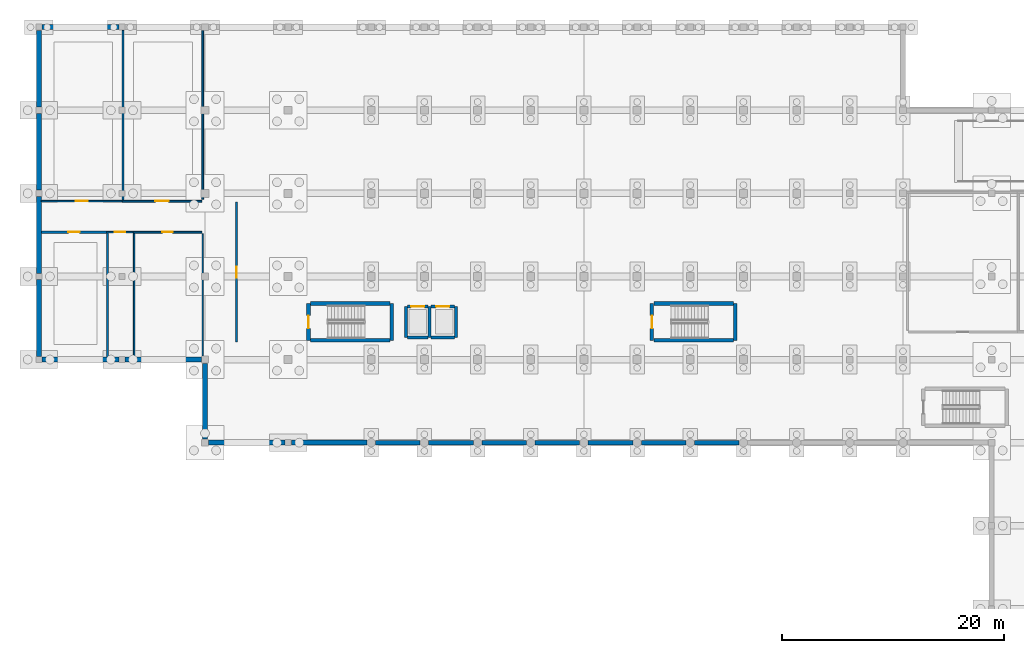
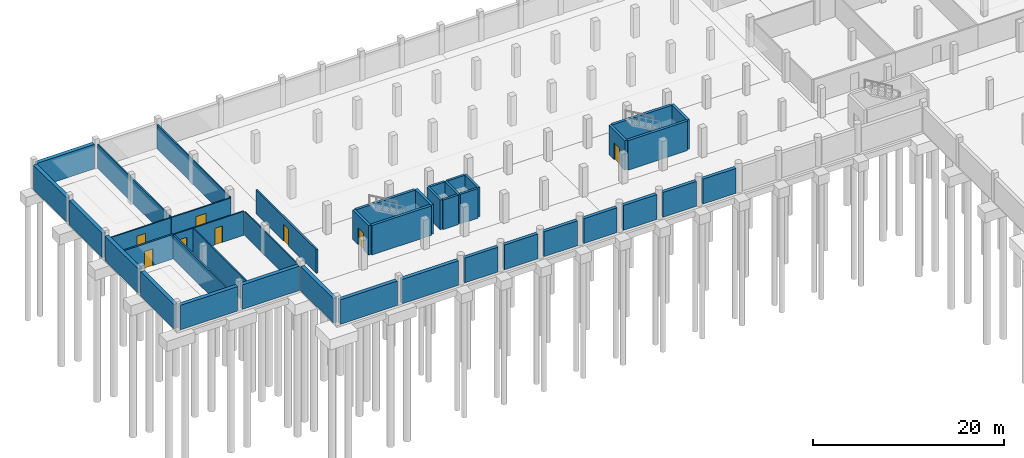
# One storey, part 7 of 17: 43 walls, 10 doors, 10 openings.
"""IFC4 building model written with IfcOpenShell, lengths in metres."""

from ifc_helpers import new_model, si_unit, direction, frame, frame_2d, origin, place, context, subcontext, project, spatial, rectangle, extrude, material, layer, layer_set, type_object, element, fill, save


model = new_model("IFC4")

# Units and contexts
model_context = context("Model", 3, precision=1e-05, world=origin(), true_north=direction((0.0, 1.0)))
body_context = subcontext(model_context, "Body", "Model", "MODEL_VIEW")
ifc_project = project(units=[si_unit("LENGTHUNIT", "METRE"), si_unit("AREAUNIT", "SQUARE_METRE"), si_unit("VOLUMEUNIT", "CUBIC_METRE"), si_unit("PLANEANGLEUNIT", "RADIAN"), si_unit("MASSUNIT", "GRAM", prefix="KILO")], contexts=[model_context])

# Site, building, storey
site_placement = place(None, origin())
site = spatial("IfcSite", under=ifc_project, at=site_placement, CompositionType="ELEMENT")
building_placement = place(site_placement, origin())
building = spatial("IfcBuilding", under=site, at=building_placement, Name="Mawjan Specialist Oncology Clinic", CompositionType="ELEMENT")
storey_placement = place(building_placement, frame((0.0, 0.0, -4.199951171875)))
storey = spatial("IfcBuildingStorey", under=building, at=storey_placement, Name="B01", CompositionType="ELEMENT", Elevation=-4.199951171875)

# Walls
ifc_material_1 = material(Name="Concrete C40/50", Category="concrete")
ifc_layer_1 = layer(ifc_material_1, 0.39990234375, Name="Concrete C40/50", Category="concrete")
ifc_layer_set_1 = layer_set([ifc_layer_1], Name="Concrete C40/50")
wall_type_1 = type_object("IfcWallType", Name="RW-400", PredefinedType="USERDEFINED", material=ifc_layer_set_1)
for number, where, z_axis, x_axis, name in (
    (1, (93.215087890625, 75.800048828125, 0.0), (0.0, 0.0, 1.0), (-1.0, 0.0, 0.0), "B01 Perimeter Retaining Wall 13"),
    (2, (88.4150390625, 75.800048828125, 0.0), (0.0, 0.0, 1.0), (-1.0, 0.0, 0.0), "B01 Perimeter Retaining Wall 14"),
    (3, (83.614990234375, 75.800048828125, 0.0), (0.0, 0.0, 1.0), (-1.0, 0.0, 0.0), "B01 Perimeter Retaining Wall 15"),
    (4, (78.81494140625, 75.800048828125, 0.0), (0.0, 0.0, 1.0), (-1.0, 0.0, 0.0), "B01 Perimeter Retaining Wall 16"),
):
    element("IfcWall", number, at=place(storey_placement, frame(where, z_axis=z_axis, x_axis=x_axis)), inside=storey, type_object=wall_type_1, Name=name, ObjectType="RETAININGWALL", PredefinedType="USERDEFINED", context=body_context, shape_type="SweptSolid", body=[
        extrude(rectangle(XDim=4.030029296875, YDim=0.39990234375, at=frame_2d((2.01513671875, 0.0))), origin(), (0.0, 0.0, 1.0), 3.179931640625),
    ])
wall_1_placement = place(storey_placement, frame((74.014892578125, 75.800048828125, 0.0), z_axis=(0.0, 0.0, 1.0), x_axis=(-1.0, 0.0, 0.0)))
element("IfcWall", 5, at=wall_1_placement, inside=storey, type_object=wall_type_1, Name="B01 Perimeter Retaining Wall 17", ObjectType="RETAININGWALL", PredefinedType="USERDEFINED", context=body_context, shape_type="SweptSolid", body=[
    extrude(rectangle(XDim=4.02978515625, YDim=0.39990234375, at=frame_2d((2.014892578125, 0.0))), origin(), (0.0, 0.0, 1.0), 3.179931640625),
])
for number, where, z_axis, x_axis, name in (
    (6, (69.215087890625, 75.800048828125, 0.0), (0.0, 0.0, 1.0), (-1.0, 0.0, 0.0), "B01 Perimeter Retaining Wall 18"),
    (7, (64.4150390625, 75.800048828125, 0.0), (0.0, 0.0, 1.0), (-1.0, 0.0, 0.0), "B01 Perimeter Retaining Wall 19"),
):
    element("IfcWall", number, at=place(storey_placement, frame(where, z_axis=z_axis, x_axis=x_axis)), inside=storey, type_object=wall_type_1, Name=name, ObjectType="RETAININGWALL", PredefinedType="USERDEFINED", context=body_context, shape_type="SweptSolid", body=[
        extrude(rectangle(XDim=4.030029296875, YDim=0.39990234375, at=frame_2d((2.01513671875, 0.0))), origin(), (0.0, 0.0, 1.0), 3.179931640625),
    ])
ifc_material_2 = material(Name="Concrete C40/50", Category="concrete")
ifc_layer_2 = layer(ifc_material_2, 0.449951171875, Name="Concrete C40/50", Category="concrete")
ifc_layer_set_2 = layer_set([ifc_layer_2], Name="Concrete C40/50")
wall_type_2 = type_object("IfcWallType", Name="RW-450", PredefinedType="USERDEFINED", material=ifc_layer_set_2)
wall_2_placement = place(storey_placement, frame((59.614990234375, 75.800048828125, 0.0), z_axis=(0.0, 0.0, 1.0), x_axis=(-1.0, 0.0, 0.0)))
element("IfcWall", 8, at=wall_2_placement, inside=storey, type_object=wall_type_2, Name="B01 Perimeter Retaining Wall 20", ObjectType="RETAININGWALL", PredefinedType="USERDEFINED", context=body_context, shape_type="SweptSolid", body=[
    extrude(rectangle(XDim=6.830078125, YDim=0.449951171875, at=frame_2d((3.4150390625, 0.0))), origin(), (0.0, 0.0, 1.0), 3.1298828125),
])
wall_3_placement = place(storey_placement, frame((52.215087890625, 75.800048828125, 0.0), z_axis=(0.0, 0.0, 1.0), x_axis=(-1.0, 0.0, 0.0)))
element("IfcWall", 9, at=wall_3_placement, inside=storey, type_object=wall_type_2, Name="B01 Perimeter Retaining Wall 21", ObjectType="RETAININGWALL", PredefinedType="USERDEFINED", context=body_context, shape_type="SweptSolid", body=[
    extrude(rectangle(XDim=6.905029296875, YDim=0.449951171875, at=frame_2d((3.45263671875, 0.0))), origin(), (0.0, 0.0, 1.0), 3.1298828125),
])
wall_4_placement = place(storey_placement, frame((45.0, 76.110107421875, 0.0), z_axis=(0.0, 0.0, 1.0), x_axis=(0.0, 1.0, 0.0)))
element("IfcWall", 10, at=wall_4_placement, inside=storey, type_object=wall_type_2, Name="B01 Perimeter Retaining Wall 22", ObjectType="RETAININGWALL", PredefinedType="USERDEFINED", context=body_context, shape_type="SweptSolid", body=[
    extrude(rectangle(XDim=6.85498046875, YDim=0.449951171875, at=frame_2d((3.427490234375, 0.0))), origin(), (0.0, 0.0, 1.0), 3.1298828125),
])
wall_5_placement = place(storey_placement, frame((44.6650390625, 83.300048828125, 0.0), z_axis=(0.0, 0.0, 1.0), x_axis=(-1.0, 0.0, 0.0)))
element("IfcWall", 11, at=wall_5_placement, inside=storey, type_object=wall_type_2, Name="B01 Perimeter Retaining Wall 23", ObjectType="RETAININGWALL", PredefinedType="USERDEFINED", context=body_context, shape_type="SweptSolid", body=[
    extrude(rectangle(XDim=6.880126953125, YDim=0.449951171875, at=frame_2d((3.43994140625, 0.0))), origin(), (0.0, 0.0, 1.0), 3.1298828125),
])
wall_6_placement = place(storey_placement, frame((37.215087890625, 83.300048828125, 0.0), z_axis=(0.0, 0.0, 1.0), x_axis=(-1.0, 0.0, 0.0)))
element("IfcWall", 12, at=wall_6_placement, inside=storey, type_object=wall_type_2, Name="B01 Perimeter Retaining Wall 24", ObjectType="RETAININGWALL", PredefinedType="USERDEFINED", context=body_context, shape_type="SweptSolid", body=[
    extrude(rectangle(XDim=6.93017578125, YDim=0.449951171875, at=frame_2d((3.465087890625, 0.0))), origin(), (0.0, 0.0, 1.0), 3.1298828125),
])
for number, where, z_axis, x_axis, name in (
    (13, (30.0, 83.5849609375, 0.0), (0.0, 0.0, 1.0), (0.0, 1.0, 0.0), "B01 Perimeter Retaining Wall 25"),
    (14, (30.0, 91.0849609375, 0.0), (0.0, 0.0, 1.0), (0.0, 1.0, 0.0), "B01 Perimeter Retaining Wall 26"),
    (15, (30.0, 98.5849609375, 0.0), (0.0, 0.0, 1.0), (0.0, 1.0, 0.0), "B01 Perimeter Retaining Wall 27"),
    (16, (30.0, 106.0849609375, 0.0), (0.0, 0.0, 1.0), (0.0, 1.0, 0.0), "B01 Perimeter Retaining Wall 28"),
):
    element("IfcWall", number, at=place(storey_placement, frame(where, z_axis=z_axis, x_axis=x_axis)), inside=storey, type_object=wall_type_2, Name=name, ObjectType="RETAININGWALL", PredefinedType="USERDEFINED", context=body_context, shape_type="SweptSolid", body=[
        extrude(rectangle(XDim=6.929931640625, YDim=0.449951171875, at=frame_2d((3.46484375, 0.0))), origin(), (0.0, 0.0, 1.0), 3.1298828125),
    ])
wall_7_placement = place(storey_placement, frame((30.284912109375, 113.300048828125, 0.0), z_axis=(0.0, 0.0, 1.0), x_axis=(1.0, 0.0, 0.0)))
element("IfcWall", 17, at=wall_7_placement, inside=storey, type_object=wall_type_2, Name="B01 Perimeter Retaining Wall 29", ObjectType="RETAININGWALL", PredefinedType="USERDEFINED", context=body_context, shape_type="SweptSolid", body=[
    extrude(rectangle(XDim=6.93017578125, YDim=0.449951171875, at=frame_2d((3.465087890625, 0.0))), origin(), (0.0, 0.0, 1.0), 3.1298828125),
])
ifc_material_3 = material(Name="Concrete C45/55", Category="concrete")
ifc_layer_3 = layer(ifc_material_3, 0.280029296875, Name="Concrete C45/55", Category="concrete")
ifc_layer_set_3 = layer_set([ifc_layer_3], Name="Concrete C45/55")
wall_type_3 = type_object("IfcWallType", Name="SW-300", PredefinedType="SHEAR", material=ifc_layer_set_3)
wall_8_placement = place(storey_placement, frame((63.2861328125, 85.306640625, 0.0), z_axis=(0.0, 0.0, 1.0), x_axis=(1.0, 0.0, 0.0)))
element("IfcWall", 18, at=wall_8_placement, inside=storey, type_object=wall_type_3, Name="B01 LF-05 Hoistway Wall 1", PredefinedType="SHEAR", context=body_context, shape_type="SweptSolid", body=[
    extrude(rectangle(XDim=1.827880859375, YDim=0.280029296875, at=frame_2d((0.9140625, 0.0))), origin(), (0.0, 0.0, 1.0), 3.780029296875),
])
wall_9_placement = place(storey_placement, frame((65.259033203125, 85.306640625, 0.0), z_axis=(0.0, 0.0, 1.0), x_axis=(0.0, 1.0, 0.0)))
element("IfcWall", 19, at=wall_9_placement, inside=storey, type_object=wall_type_3, Name="B01 LF-05 Hoistway Wall 2", PredefinedType="SHEAR", context=body_context, shape_type="SweptSolid", body=[
    extrude(rectangle(XDim=2.78662109375, YDim=0.280029296875, at=frame_2d((1.393310546875, 0.0))), origin(), (0.0, 0.0, 1.0), 3.780029296875),
])

# Wall, opening, door
wall_10_placement = place(storey_placement, frame((65.114013671875, 88.09326171875, 0.0), z_axis=(0.0, 0.0, 1.0), x_axis=(-1.0, 0.0, 0.0)))
wall_10 = element("IfcWall", 20, at=wall_10_placement, inside=storey, type_object=wall_type_3, Name="B01 LF-05 Hoistway Wall 3", PredefinedType="SHEAR", context=body_context, shape_type="SweptSolid", body=[
    extrude(rectangle(XDim=1.827880859375, YDim=0.280029296875, at=frame_2d((0.9140625, 0.0))), origin(), (0.0, 0.0, 1.0), 3.780029296875),
])
opening_1_placement = place(wall_10_placement, frame((0.31396484375, 0.0, 0.0)))
opening_1 = element("IfcOpeningElement", 21, at=opening_1_placement, cuts=wall_10, Name="Opening LD-05-B01", PredefinedType="OPENING", context=body_context, shape_type="SweptSolid", body=[
    extrude(rectangle(XDim=1.199951171875, YDim=2.14990234375, at=frame_2d((0.60009765625, 1.074951171875))), frame((0.0, 0.152099609375, 0.0), z_axis=(0.0, -1.0, 0.0), x_axis=(1.0, 0.0, 0.0)), (0.0, 0.0, 1.0), 0.303955078125),
])
ifc_material_4 = material(Name="Stainless-steel fire-rated hospital door", Category="steel")
door_type_1 = type_object("IfcDoorType", Name="LD-120", OperationType="SLIDING_TO_LEFT", PredefinedType="DOOR", material=ifc_material_4)
door_1_placement = place(opening_1_placement, origin())
door_1 = element("IfcDoor", 22, at=door_1_placement, inside=storey, type_object=door_type_1, Name="B01 LF-05 Sliding Lift Landing Door", OperationType="SLIDING_TO_LEFT", OverallHeight=2.14990234375, OverallWidth=1.199951171875, PredefinedType="DOOR", context=body_context, shape_type="SweptSolid", body=[
    extrude(rectangle(XDim=1.199951171875, YDim=2.14990234375, at=frame_2d((0.60009765625, 1.074951171875))), frame((0.0, 0.02490234375, 0.0), z_axis=(0.0, -1.0, 0.0), x_axis=(1.0, 0.0, 0.0)), (0.0, 0.0, 1.0), 0.050048828125),
])
fill(opening_1, door_1)

# Walls
wall_11_placement = place(storey_placement, frame((63.14111328125, 88.09326171875, 0.0), z_axis=(0.0, 0.0, 1.0), x_axis=(0.0, -1.0, 0.0)))
element("IfcWall", 23, at=wall_11_placement, inside=storey, type_object=wall_type_3, Name="B01 LF-05 Hoistway Wall 4", PredefinedType="SHEAR", context=body_context, shape_type="SweptSolid", body=[
    extrude(rectangle(XDim=2.78662109375, YDim=0.280029296875, at=frame_2d((1.393310546875, 0.0))), origin(), (0.0, 0.0, 1.0), 3.780029296875),
])
wall_12_placement = place(storey_placement, frame((65.40380859375, 85.306640625, 0.0), z_axis=(0.0, 0.0, 1.0), x_axis=(1.0, 0.0, 0.0)))
element("IfcWall", 24, at=wall_12_placement, inside=storey, type_object=wall_type_3, Name="B01 LF-06 Hoistway Wall 1", PredefinedType="SHEAR", context=body_context, shape_type="SweptSolid", body=[
    extrude(rectangle(XDim=2.110107421875, YDim=0.280029296875, at=frame_2d((1.05517578125, 0.0))), origin(), (0.0, 0.0, 1.0), 3.780029296875),
])
wall_13_placement = place(storey_placement, frame((67.658935546875, 85.306640625, 0.0), z_axis=(0.0, 0.0, 1.0), x_axis=(0.0, 1.0, 0.0)))
element("IfcWall", 25, at=wall_13_placement, inside=storey, type_object=wall_type_3, Name="B01 LF-06 Hoistway Wall 2", PredefinedType="SHEAR", context=body_context, shape_type="SweptSolid", body=[
    extrude(rectangle(XDim=2.78662109375, YDim=0.280029296875, at=frame_2d((1.393310546875, 0.0))), origin(), (0.0, 0.0, 1.0), 3.780029296875),
])

# Wall, opening, door
wall_14_placement = place(storey_placement, frame((67.513916015625, 88.09326171875, 0.0), z_axis=(0.0, 0.0, 1.0), x_axis=(-1.0, 0.0, 0.0)))
wall_14 = element("IfcWall", 26, at=wall_14_placement, inside=storey, type_object=wall_type_3, Name="B01 LF-06 Hoistway Wall 3", PredefinedType="SHEAR", context=body_context, shape_type="SweptSolid", body=[
    extrude(rectangle(XDim=2.110107421875, YDim=0.280029296875, at=frame_2d((1.05517578125, 0.0))), origin(), (0.0, 0.0, 1.0), 3.780029296875),
])
opening_2_placement = place(wall_14_placement, frame((0.455078125, 0.0, 0.0)))
opening_2 = element("IfcOpeningElement", 27, at=opening_2_placement, cuts=wall_14, Name="Opening LD-06-B01", PredefinedType="OPENING", context=body_context, shape_type="SweptSolid", body=[
    extrude(rectangle(XDim=1.199951171875, YDim=2.14990234375, at=frame_2d((0.60009765625, 1.074951171875))), frame((0.0, 0.152099609375, 0.0), z_axis=(0.0, -1.0, 0.0), x_axis=(1.0, 0.0, 0.0)), (0.0, 0.0, 1.0), 0.303955078125),
])
door_2_placement = place(opening_2_placement, origin())
door_2 = element("IfcDoor", 28, at=door_2_placement, inside=storey, type_object=door_type_1, Name="B01 LF-06 Sliding Lift Landing Door", OperationType="SLIDING_TO_RIGHT", OverallHeight=2.14990234375, OverallWidth=1.199951171875, PredefinedType="DOOR", context=body_context, shape_type="SweptSolid", body=[
    extrude(rectangle(XDim=1.199951171875, YDim=2.14990234375, at=frame_2d((0.60009765625, 1.074951171875))), frame((0.0, 0.02490234375, 0.0), z_axis=(0.0, -1.0, 0.0), x_axis=(1.0, 0.0, 0.0)), (0.0, 0.0, 1.0), 0.050048828125),
])
fill(opening_2, door_2)

# Walls
ifc_material_5 = material(Name="Concrete C45/55", Category="concrete")
ifc_layer_4 = layer(ifc_material_5, 0.320068359375, Name="Concrete C45/55", Category="concrete")
ifc_layer_set_4 = layer_set([ifc_layer_4], Name="Concrete C45/55")
wall_type_4 = type_object("IfcWallType", Name="SW-350", PredefinedType="SHEAR", material=ifc_layer_set_4)
wall_15_placement = place(storey_placement, frame((54.5048828125, 85.0400390625, 0.0), z_axis=(0.0, 0.0, 1.0), x_axis=(1.0, 0.0, 0.0)))
element("IfcWall", 29, at=wall_15_placement, inside=storey, type_object=wall_type_4, Name="B01 Core K3 Stair Shear Wall 1", PredefinedType="SHEAR", context=body_context, shape_type="SweptSolid", body=[
    extrude(rectangle(XDim=7.190185546875, YDim=0.320068359375, at=frame_2d((3.59521484375, 0.0))), origin(), (0.0, 0.0, 1.0), 3.780029296875),
])
wall_16_placement = place(storey_placement, frame((61.860107421875, 85.0400390625, 0.0), z_axis=(0.0, 0.0, 1.0), x_axis=(0.0, 1.0, 0.0)))
element("IfcWall", 30, at=wall_16_placement, inside=storey, type_object=wall_type_4, Name="B01 Core K3 Stair Shear Wall 2", PredefinedType="SHEAR", context=body_context, shape_type="SweptSolid", body=[
    extrude(rectangle(XDim=3.320068359375, YDim=0.320068359375, at=frame_2d((1.66015625, 0.0))), origin(), (0.0, 0.0, 1.0), 3.780029296875),
])
wall_17_placement = place(storey_placement, frame((61.695068359375, 88.360107421875, 0.0), z_axis=(0.0, 0.0, 1.0), x_axis=(-1.0, 0.0, 0.0)))
element("IfcWall", 31, at=wall_17_placement, inside=storey, type_object=wall_type_4, Name="B01 Core K3 Stair Shear Wall 3", PredefinedType="SHEAR", context=body_context, shape_type="SweptSolid", body=[
    extrude(rectangle(XDim=7.190185546875, YDim=0.320068359375, at=frame_2d((3.59521484375, 0.0))), origin(), (0.0, 0.0, 1.0), 3.780029296875),
])

# Wall, opening, door
wall_18_placement = place(storey_placement, frame((54.340087890625, 88.360107421875, 0.0), z_axis=(0.0, 0.0, 1.0), x_axis=(0.0, -1.0, 0.0)))
wall_18 = element("IfcWall", 32, at=wall_18_placement, inside=storey, type_object=wall_type_4, Name="B01 Core K3 Stair Shear Wall 4", PredefinedType="SHEAR", context=body_context, shape_type="SweptSolid", body=[
    extrude(rectangle(XDim=3.320068359375, YDim=0.320068359375, at=frame_2d((1.66015625, 0.0))), origin(), (0.0, 0.0, 1.0), 3.780029296875),
])
opening_3_placement = place(wall_18_placement, frame((1.0849609375, 0.0, 0.0)))
opening_3 = element("IfcOpeningElement", 33, at=opening_3_placement, cuts=wall_18, Name="Opening FD-90", PredefinedType="OPENING", context=body_context, shape_type="SweptSolid", body=[
    extrude(rectangle(XDim=1.14990234375, YDim=2.14990234375, at=frame_2d((0.574951171875, 1.074951171875))), frame((0.0, 0.172119140625, 0.0), z_axis=(0.0, -1.0, 0.0), x_axis=(1.0, 0.0, 0.0)), (0.0, 0.0, 1.0), 0.343994140625),
])
ifc_material_6 = material(Name="Stainless-steel fire-rated hospital door", Category="steel")
door_type_2 = type_object("IfcDoorType", Name="FD-90", OperationType="NOTDEFINED", PredefinedType="DOOR", material=ifc_material_6)
door_3_placement = place(opening_3_placement, origin())
door_3 = element("IfcDoor", 34, at=door_3_placement, inside=storey, type_object=door_type_2, Name="B01 ST-03 Fire Exit Stair Door", OperationType="SINGLE_SWING_RIGHT", OverallHeight=2.14990234375, OverallWidth=1.14990234375, PredefinedType="DOOR", context=body_context, shape_type="SweptSolid", body=[
    extrude(rectangle(XDim=1.14990234375, YDim=2.14990234375, at=frame_2d((0.574951171875, 1.074951171875))), frame((0.0, 0.02490234375, 0.0), z_axis=(0.0, -1.0, 0.0), x_axis=(1.0, 0.0, 0.0)), (0.0, 0.0, 1.0), 0.050048828125),
])
fill(opening_3, door_3)

# Walls
wall_19_placement = place(storey_placement, frame((85.5048828125, 85.0400390625, 0.0), z_axis=(0.0, 0.0, 1.0), x_axis=(1.0, 0.0, 0.0)))
element("IfcWall", 35, at=wall_19_placement, inside=storey, type_object=wall_type_4, Name="B01 Core K4 Stair Shear Wall 1", PredefinedType="SHEAR", context=body_context, shape_type="SweptSolid", body=[
    extrude(rectangle(XDim=7.190185546875, YDim=0.320068359375, at=frame_2d((3.59521484375, 0.0))), origin(), (0.0, 0.0, 1.0), 3.780029296875),
])
wall_20_placement = place(storey_placement, frame((92.860107421875, 85.0400390625, 0.0), z_axis=(0.0, 0.0, 1.0), x_axis=(0.0, 1.0, 0.0)))
element("IfcWall", 36, at=wall_20_placement, inside=storey, type_object=wall_type_4, Name="B01 Core K4 Stair Shear Wall 2", PredefinedType="SHEAR", context=body_context, shape_type="SweptSolid", body=[
    extrude(rectangle(XDim=3.320068359375, YDim=0.320068359375, at=frame_2d((1.66015625, 0.0))), origin(), (0.0, 0.0, 1.0), 3.780029296875),
])
wall_21_placement = place(storey_placement, frame((92.695068359375, 88.360107421875, 0.0), z_axis=(0.0, 0.0, 1.0), x_axis=(-1.0, 0.0, 0.0)))
element("IfcWall", 37, at=wall_21_placement, inside=storey, type_object=wall_type_4, Name="B01 Core K4 Stair Shear Wall 3", PredefinedType="SHEAR", context=body_context, shape_type="SweptSolid", body=[
    extrude(rectangle(XDim=7.190185546875, YDim=0.320068359375, at=frame_2d((3.59521484375, 0.0))), origin(), (0.0, 0.0, 1.0), 3.780029296875),
])

# Wall, opening, door
wall_22_placement = place(storey_placement, frame((85.340087890625, 88.360107421875, 0.0), z_axis=(0.0, 0.0, 1.0), x_axis=(0.0, -1.0, 0.0)))
wall_22 = element("IfcWall", 38, at=wall_22_placement, inside=storey, type_object=wall_type_4, Name="B01 Core K4 Stair Shear Wall 4", PredefinedType="SHEAR", context=body_context, shape_type="SweptSolid", body=[
    extrude(rectangle(XDim=3.320068359375, YDim=0.320068359375, at=frame_2d((1.66015625, 0.0))), origin(), (0.0, 0.0, 1.0), 3.780029296875),
])
opening_4_placement = place(wall_22_placement, frame((1.0849609375, 0.0, 0.0)))
opening_4 = element("IfcOpeningElement", 39, at=opening_4_placement, cuts=wall_22, Name="Opening FD-90", PredefinedType="OPENING", context=body_context, shape_type="SweptSolid", body=[
    extrude(rectangle(XDim=1.14990234375, YDim=2.14990234375, at=frame_2d((0.574951171875, 1.074951171875))), frame((0.0, 0.172119140625, 0.0), z_axis=(0.0, -1.0, 0.0), x_axis=(1.0, 0.0, 0.0)), (0.0, 0.0, 1.0), 0.343994140625),
])
door_4_placement = place(opening_4_placement, origin())
door_4 = element("IfcDoor", 40, at=door_4_placement, inside=storey, type_object=door_type_2, Name="B01 ST-04 Fire Exit Stair Door", OperationType="SINGLE_SWING_RIGHT", OverallHeight=2.14990234375, OverallWidth=1.14990234375, PredefinedType="DOOR", context=body_context, shape_type="SweptSolid", body=[
    extrude(rectangle(XDim=1.14990234375, YDim=2.14990234375, at=frame_2d((0.574951171875, 1.074951171875))), frame((0.0, 0.02490234375, 0.0), z_axis=(0.0, -1.0, 0.0), x_axis=(1.0, 0.0, 0.0)), (0.0, 0.0, 1.0), 0.050048828125),
])
fill(opening_4, door_4)

# Wall
ifc_material_7 = material(Name="Moisture-resistant washroom partition", Category="gypsum")
ifc_layer_5 = layer(ifc_material_7, 0.125, Name="Moisture-resistant washroom partition", Category="gypsum")
ifc_layer_set_5 = layer_set([ifc_layer_5], Name="Moisture-resistant washroom partition")
wall_type_5 = type_object("IfcWallType", Name="WP-125", PredefinedType="PARTITIONING", material=ifc_layer_set_5)
wall_23_placement = place(storey_placement, frame((44.800048828125, 83.636962890625, 0.0), z_axis=(0.0, 0.0, 1.0), x_axis=(0.0, 1.0, 0.0)))
element("IfcWall", 41, at=wall_23_placement, inside=storey, type_object=wall_type_5, Name="B01 Interior Partition W-INT-B01-B06-D", PredefinedType="PARTITIONING", context=body_context, shape_type="SweptSolid", body=[
    extrude(rectangle(XDim=10.998046875, YDim=0.125, at=frame_2d((5.4990234375, 0.0))), origin(), (0.0, 0.0, 1.0), 3.06494140625),
])

# Wall, opening, door
ifc_material_8 = material(Name="Acoustic gypsum clinical partition", Category="gypsum")
ifc_layer_6 = layer(ifc_material_8, 0.14990234375, Name="Acoustic gypsum clinical partition", Category="gypsum")
ifc_layer_set_6 = layer_set([ifc_layer_6], Name="Acoustic gypsum clinical partition")
wall_type_6 = type_object("IfcWallType", Name="WP-150", PredefinedType="PARTITIONING", material=ifc_layer_set_6)
wall_24_placement = place(storey_placement, frame((30.237060546875, 97.60009765625, 0.0), z_axis=(0.0, 0.0, 1.0), x_axis=(1.0, 0.0, 0.0)))
wall_24 = element("IfcWall", 42, at=wall_24_placement, inside=storey, type_object=wall_type_6, Name="B01 Interior Partition W-INT-B01-B02-C", PredefinedType="PARTITIONING", context=body_context, shape_type="SweptSolid", body=[
    extrude(rectangle(XDim=7.27783203125, YDim=0.14990234375, at=frame_2d((3.638916015625, 0.0))), origin(), (0.0, 0.0, 1.0), 3.06494140625),
])
opening_5_placement = place(wall_24_placement, frame((3.114013671875, 0.0, 0.0)))
opening_5 = element("IfcOpeningElement", 43, at=opening_5_placement, cuts=wall_24, Name="Opening DI-105", PredefinedType="OPENING", context=body_context, shape_type="SweptSolid", body=[
    extrude(rectangle(XDim=1.050048828125, YDim=2.14990234375, at=frame_2d((0.52490234375, 1.074951171875))), frame((0.0, 0.0869140625, 0.0), z_axis=(0.0, -1.0, 0.0), x_axis=(1.0, 0.0, 0.0)), (0.0, 0.0, 1.0), 0.173828125),
])
ifc_material_9 = material(Name="Acoustic laminate hospital door leaf", Category="wood")
door_type_3 = type_object("IfcDoorType", Name="DI-105", OperationType="NOTDEFINED", PredefinedType="DOOR", material=ifc_material_9)
door_5_placement = place(opening_5_placement, origin())
door_5 = element("IfcDoor", 44, at=door_5_placement, inside=storey, type_object=door_type_3, Name="B01 Central Sterile Reprocessing Room Door", OperationType="SINGLE_SWING_LEFT", OverallHeight=2.14990234375, OverallWidth=1.050048828125, PredefinedType="DOOR", context=body_context, shape_type="SweptSolid", body=[
    extrude(rectangle(XDim=1.050048828125, YDim=2.14990234375, at=frame_2d((0.52490234375, 1.074951171875))), frame((0.0, 0.02490234375, 0.0), z_axis=(0.0, -1.0, 0.0), x_axis=(1.0, 0.0, 0.0)), (0.0, 0.0, 1.0), 0.050048828125),
])
fill(opening_5, door_5)

wall_25_placement = place(storey_placement, frame((36.126953125, 94.800048828125, 0.0), z_axis=(0.0, 0.0, 1.0), x_axis=(1.0, 0.0, 0.0)))
wall_25 = element("IfcWall", 45, at=wall_25_placement, inside=storey, type_object=wall_type_6, Name="B01 Interior Partition W-INT-B01-B05-C", PredefinedType="PARTITIONING", context=body_context, shape_type="SweptSolid", body=[
    extrude(rectangle(XDim=2.387939453125, YDim=0.14990234375, at=frame_2d((1.19384765625, 0.0))), origin(), (0.0, 0.0, 1.0), 3.06494140625),
])
opening_6_placement = place(wall_25_placement, frame((0.718994140625, 0.0, 0.0)))
opening_6 = element("IfcOpeningElement", 46, at=opening_6_placement, cuts=wall_25, Name="Opening DA-95", PredefinedType="OPENING", context=body_context, shape_type="SweptSolid", body=[
    extrude(rectangle(XDim=0.949951171875, YDim=2.14990234375, at=frame_2d((0.47509765625, 1.074951171875))), frame((0.0, 0.0869140625, 0.0), z_axis=(0.0, -1.0, 0.0), x_axis=(1.0, 0.0, 0.0)), (0.0, 0.0, 1.0), 0.173828125),
])
ifc_material_10 = material(Name="Acoustic laminate hospital door leaf", Category="wood")
door_type_4 = type_object("IfcDoorType", Name="DA-95", OperationType="NOTDEFINED", PredefinedType="DOOR", material=ifc_material_10)
door_6_placement = place(opening_6_placement, origin())
door_6 = element("IfcDoor", 47, at=door_6_placement, inside=storey, type_object=door_type_4, Name="B01 Accessible Staff Toilet Door", OperationType="SINGLE_SWING_RIGHT", OverallHeight=2.14990234375, OverallWidth=0.949951171875, PredefinedType="DOOR", context=body_context, shape_type="SweptSolid", body=[
    extrude(rectangle(XDim=0.949951171875, YDim=2.14990234375, at=frame_2d((0.47509765625, 1.074951171875))), frame((0.0, 0.02490234375, 0.0), z_axis=(0.0, -1.0, 0.0), x_axis=(1.0, 0.0, 0.0)), (0.0, 0.0, 1.0), 0.050048828125),
])
fill(opening_6, door_6)

# Walls
wall_26_placement = place(storey_placement, frame((37.60009765625, 97.69189453125, 0.0), z_axis=(0.0, 0.0, 1.0), x_axis=(0.0, 1.0, 0.0)))
element("IfcWall", 48, at=wall_26_placement, inside=storey, type_object=wall_type_6, Name="B01 Interior Partition W-INT-B01-B02-D", PredefinedType="PARTITIONING", context=body_context, shape_type="SweptSolid", body=[
    extrude(rectangle(XDim=15.321044921875, YDim=0.14990234375, at=frame_2d((7.66064453125, 0.0))), origin(), (0.0, 0.0, 1.0), 3.06494140625),
])
wall_27_placement = place(storey_placement, frame((44.800048828125, 97.764892578125, 0.0), z_axis=(0.0, 0.0, 1.0), x_axis=(0.0, 1.0, 0.0)))
element("IfcWall", 49, at=wall_27_placement, inside=storey, type_object=wall_type_6, Name="B01 Interior Partition W-INT-B01-B03-D", PredefinedType="PARTITIONING", context=body_context, shape_type="SweptSolid", body=[
    extrude(rectangle(XDim=15.22314453125, YDim=0.14990234375, at=frame_2d((7.611572265625, 0.0))), origin(), (0.0, 0.0, 1.0), 3.06494140625),
])
wall_28_placement = place(storey_placement, frame((38.60009765625, 83.537109375, 0.0), z_axis=(0.0, 0.0, 1.0), x_axis=(0.0, 1.0, 0.0)))
element("IfcWall", 50, at=wall_28_placement, inside=storey, type_object=wall_type_6, Name="B01 Interior Partition W-INT-B01-B05-D", PredefinedType="PARTITIONING", context=body_context, shape_type="SweptSolid", body=[
    extrude(rectangle(XDim=11.1708984375, YDim=0.14990234375, at=frame_2d((5.58544921875, 0.0))), origin(), (0.0, 0.0, 1.0), 3.06494140625),
])

# Wall, opening, door
ifc_material_11 = material(Name="Acoustic clinical twin-stud partition", Category="gypsum")
ifc_layer_7 = layer(ifc_material_11, 0.159912109375, Name="Acoustic clinical twin-stud partition", Category="gypsum")
ifc_layer_set_7 = layer_set([ifc_layer_7], Name="Acoustic clinical twin-stud partition")
wall_type_7 = type_object("IfcWallType", Name="WP-160", PredefinedType="PARTITIONING", material=ifc_layer_set_7)
wall_29_placement = place(storey_placement, frame((37.527099609375, 97.60009765625, 0.0), z_axis=(0.0, 0.0, 1.0), x_axis=(1.0, 0.0, 0.0)))
wall_29 = element("IfcWall", 51, at=wall_29_placement, inside=storey, type_object=wall_type_7, Name="B01 Interior Partition W-INT-B01-B03-C", PredefinedType="PARTITIONING", context=body_context, shape_type="SweptSolid", body=[
    extrude(rectangle(XDim=7.18798828125, YDim=0.159912109375, at=frame_2d((3.593994140625, 0.0))), origin(), (0.0, 0.0, 1.0), 3.06494140625),
])
opening_7_placement = place(wall_29_placement, frame((2.993896484375, 0.0, 0.0)))
opening_7 = element("IfcOpeningElement", 52, at=opening_7_placement, cuts=wall_29, Name="Opening DC-120", PredefinedType="OPENING", context=body_context, shape_type="SweptSolid", body=[
    extrude(rectangle(XDim=1.199951171875, YDim=2.14990234375, at=frame_2d((0.60009765625, 1.074951171875))), frame((0.0, 0.092041015625, 0.0), z_axis=(0.0, -1.0, 0.0), x_axis=(1.0, 0.0, 0.0)), (0.0, 0.0, 1.0), 0.183837890625),
])
ifc_material_12 = material(Name="Acoustic laminate hospital door leaf", Category="wood")
door_type_5 = type_object("IfcDoorType", Name="DC-120", OperationType="NOTDEFINED", PredefinedType="DOOR", material=ifc_material_12)
door_7_placement = place(opening_7_placement, origin())
door_7 = element("IfcDoor", 53, at=door_7_placement, inside=storey, type_object=door_type_5, Name="B01 CSSD Sterile Autoclave Hall Door", OperationType="SINGLE_SWING_RIGHT", OverallHeight=2.14990234375, OverallWidth=1.199951171875, PredefinedType="DOOR", context=body_context, shape_type="SweptSolid", body=[
    extrude(rectangle(XDim=1.199951171875, YDim=2.14990234375, at=frame_2d((0.60009765625, 1.074951171875))), frame((0.0, 0.02490234375, 0.0), z_axis=(0.0, -1.0, 0.0), x_axis=(1.0, 0.0, 0.0)), (0.0, 0.0, 1.0), 0.050048828125),
])
fill(opening_7, door_7)

wall_30_placement = place(storey_placement, frame((38.527099609375, 94.800048828125, 0.0), z_axis=(0.0, 0.0, 1.0), x_axis=(1.0, 0.0, 0.0)))
wall_30 = element("IfcWall", 54, at=wall_30_placement, inside=storey, type_object=wall_type_7, Name="B01 Interior Partition W-INT-B01-B06-C", PredefinedType="PARTITIONING", context=body_context, shape_type="SweptSolid", body=[
    extrude(rectangle(XDim=6.18798828125, YDim=0.159912109375, at=frame_2d((3.093994140625, 0.0))), origin(), (0.0, 0.0, 1.0), 3.06494140625),
])
opening_8_placement = place(wall_30_placement, frame((2.634033203125, 0.0, 0.0)))
opening_8 = element("IfcOpeningElement", 55, at=opening_8_placement, cuts=wall_30, Name="Opening DI-92", PredefinedType="OPENING", context=body_context, shape_type="SweptSolid", body=[
    extrude(rectangle(XDim=0.919921875, YDim=2.10009765625, at=frame_2d((0.4599609375, 1.050048828125))), frame((0.0, 0.092041015625, 0.0), z_axis=(0.0, -1.0, 0.0), x_axis=(1.0, 0.0, 0.0)), (0.0, 0.0, 1.0), 0.183837890625),
])
ifc_material_13 = material(Name="Acoustic laminate hospital door leaf", Category="wood")
door_type_6 = type_object("IfcDoorType", Name="DI-92", OperationType="NOTDEFINED", PredefinedType="DOOR", material=ifc_material_13)
door_8_placement = place(opening_8_placement, origin())
door_8 = element("IfcDoor", 56, at=door_8_placement, inside=storey, type_object=door_type_6, Name="B01 Clinical Sterile Store Door", OperationType="SINGLE_SWING_LEFT", OverallHeight=2.10009765625, OverallWidth=0.919921875, PredefinedType="DOOR", context=body_context, shape_type="SweptSolid", body=[
    extrude(rectangle(XDim=0.919921875, YDim=2.10009765625, at=frame_2d((0.4599609375, 1.050048828125))), frame((0.0, 0.02490234375, 0.0), z_axis=(0.0, -1.0, 0.0), x_axis=(1.0, 0.0, 0.0)), (0.0, 0.0, 1.0), 0.050048828125),
])
fill(opening_8, door_8)

# Wall
wall_31_placement = place(storey_placement, frame((36.199951171875, 83.537109375, 0.0), z_axis=(0.0, 0.0, 1.0), x_axis=(0.0, 1.0, 0.0)))
element("IfcWall", 57, at=wall_31_placement, inside=storey, type_object=wall_type_7, Name="B01 Interior Partition W-INT-B01-B04-D", PredefinedType="PARTITIONING", context=body_context, shape_type="SweptSolid", body=[
    extrude(rectangle(XDim=11.17578125, YDim=0.159912109375, at=frame_2d((5.587890625, 0.0))), origin(), (0.0, 0.0, 1.0), 3.06494140625),
])

# Wall, opening, door
ifc_material_14 = material(Name="Insulated fire-rated gypsum stud partition", Category="gypsum")
ifc_layer_8 = layer(ifc_material_14, 0.199951171875, Name="Insulated fire-rated gypsum stud partition", Category="gypsum")
ifc_layer_set_8 = layer_set([ifc_layer_8], Name="Insulated fire-rated gypsum stud partition")
wall_type_8 = type_object("IfcWallType", Name="WS-60", PredefinedType="PARTITIONING", material=ifc_layer_set_8)
wall_32_placement = place(storey_placement, frame((47.85009765625, 84.885009765625, 0.0), z_axis=(0.0, 0.0, 1.0), x_axis=(0.0, 1.0, 0.0)))
wall_32 = element("IfcWall", 58, at=wall_32_placement, inside=storey, type_object=wall_type_8, Name="B01 Interior Partition W-INT-B01-CCLNK-E", PredefinedType="PARTITIONING", context=body_context, shape_type="SweptSolid", body=[
    extrude(rectangle(XDim=12.6298828125, YDim=0.199951171875, at=frame_2d((6.31494140625, 0.0))), origin(), (0.0, 0.0, 1.0), 3.06494140625),
])
opening_9_placement = place(wall_32_placement, frame((5.81494140625, 0.0, 0.0)))
opening_9 = element("IfcOpeningElement", 59, at=opening_9_placement, cuts=wall_32, Name="Opening DF-100", PredefinedType="OPENING", context=body_context, shape_type="SweptSolid", body=[
    extrude(rectangle(XDim=1.0, YDim=2.14990234375, at=frame_2d((0.5, 1.074951171875))), frame((0.0, 0.112060546875, 0.0), z_axis=(0.0, -1.0, 0.0), x_axis=(1.0, 0.0, 0.0)), (0.0, 0.0, 1.0), 0.223876953125),
])
ifc_material_15 = material(Name="Stainless-steel fire-rated hospital door", Category="steel")
door_type_7 = type_object("IfcDoorType", Name="DF-100", OperationType="NOTDEFINED", PredefinedType="DOOR", material=ifc_material_15)
door_9_placement = place(opening_9_placement, origin())
door_9 = element("IfcDoor", 60, at=door_9_placement, inside=storey, type_object=door_type_7, Name="B01 Underground Parking Fire Lobby Door", OperationType="SINGLE_SWING_RIGHT", OverallHeight=2.14990234375, OverallWidth=1.0, PredefinedType="DOOR", context=body_context, shape_type="SweptSolid", body=[
    extrude(rectangle(XDim=1.0, YDim=2.14990234375, at=frame_2d((0.5, 1.074951171875))), frame((0.0, 0.02490234375, 0.0), z_axis=(0.0, -1.0, 0.0), x_axis=(1.0, 0.0, 0.0)), (0.0, 0.0, 1.0), 0.050048828125),
])
fill(opening_9, door_9)

wall_33_placement = place(storey_placement, frame((30.237060546875, 94.800048828125, 0.0), z_axis=(0.0, 0.0, 1.0), x_axis=(1.0, 0.0, 0.0)))
wall_33 = element("IfcWall", 61, at=wall_33_placement, inside=storey, type_object=wall_type_8, Name="B01 Interior Partition W-INT-B01-B04-C", PredefinedType="PARTITIONING", context=body_context, shape_type="SweptSolid", body=[
    extrude(rectangle(XDim=5.8779296875, YDim=0.199951171875, at=frame_2d((2.93896484375, 0.0))), origin(), (0.0, 0.0, 1.0), 3.114990234375),
])
opening_10_placement = place(wall_33_placement, frame((2.43896484375, 0.0, 0.0)))
opening_10 = element("IfcOpeningElement", 62, at=opening_10_placement, cuts=wall_33, Name="Opening DF-100", PredefinedType="OPENING", context=body_context, shape_type="SweptSolid", body=[
    extrude(rectangle(XDim=1.0, YDim=2.14990234375, at=frame_2d((0.5, 1.074951171875))), frame((0.0, 0.112060546875, 0.0), z_axis=(0.0, -1.0, 0.0), x_axis=(1.0, 0.0, 0.0)), (0.0, 0.0, 1.0), 0.223876953125),
])
door_10_placement = place(opening_10_placement, origin())
door_10 = element("IfcDoor", 63, at=door_10_placement, inside=storey, type_object=door_type_7, Name="B01 Bulk Pharmacy Vault Door", OperationType="SINGLE_SWING_LEFT", OverallHeight=2.14990234375, OverallWidth=1.0, PredefinedType="DOOR", context=body_context, shape_type="SweptSolid", body=[
    extrude(rectangle(XDim=1.0, YDim=2.14990234375, at=frame_2d((0.5, 1.074951171875))), frame((0.0, 0.02490234375, 0.0), z_axis=(0.0, -1.0, 0.0), x_axis=(1.0, 0.0, 0.0)), (0.0, 0.0, 1.0), 0.050048828125),
])
fill(opening_10, door_10)

save(model, "model.ifc")
